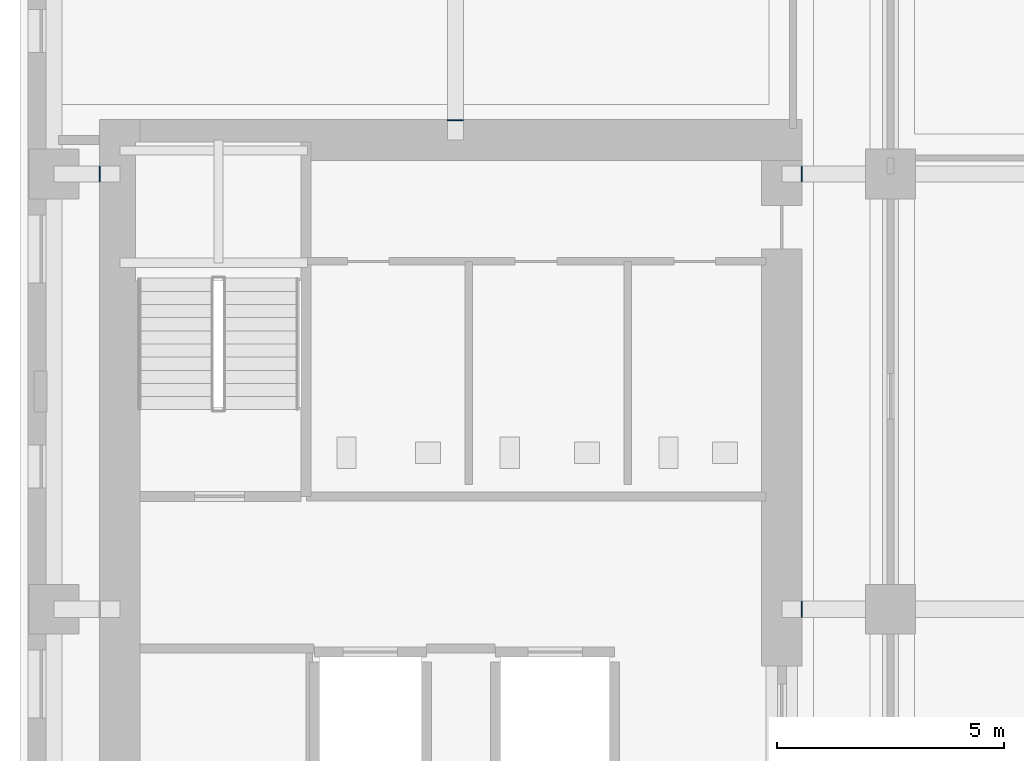
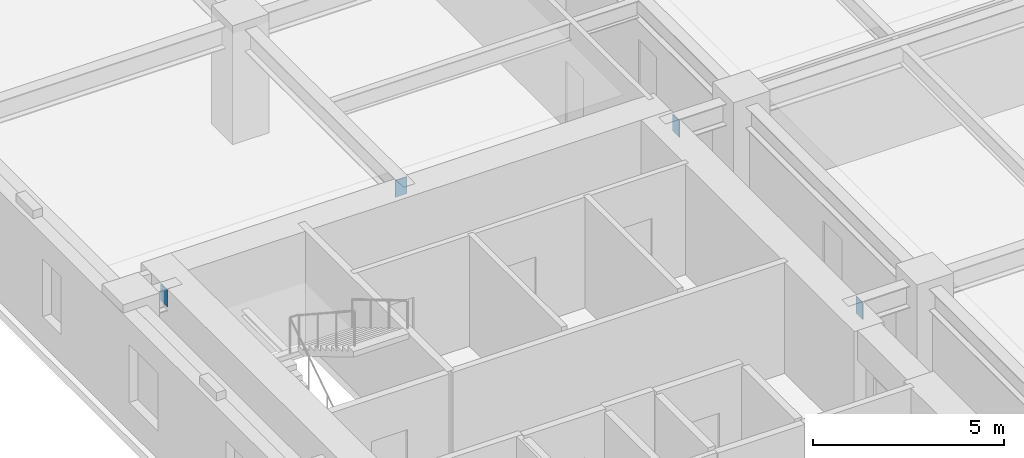
# One storey, part 10 of 16: 4 discrete accessories.
"""IFC4 building model written with IfcOpenShell, lengths in metres."""

from ifc_helpers import new_model, si_unit, direction, frame, origin, origin_2d, place, context, subcontext, project, spatial, rectangle, extrude, material, layer, layer_set, type_object, element, save


model = new_model("IFC4")

# Units and contexts
model_context = context("Model", 3, precision=1e-05, world=origin(), true_north=direction((0.0, 1.0)))
body_context = subcontext(model_context, "Body", "Model", "MODEL_VIEW")
ifc_project = project(units=[si_unit("LENGTHUNIT", "METRE"), si_unit("AREAUNIT", "SQUARE_METRE"), si_unit("VOLUMEUNIT", "CUBIC_METRE"), si_unit("PLANEANGLEUNIT", "RADIAN"), si_unit("MASSUNIT", "GRAM", prefix="KILO")], contexts=[model_context])

# Site, building, storey
site_placement = place(None, origin())
site = spatial("IfcSite", under=ifc_project, at=site_placement, CompositionType="ELEMENT")
building_placement = place(site_placement, origin())
building = spatial("IfcBuilding", under=site, at=building_placement, Name="Norrvale University Quadrangle", CompositionType="ELEMENT")
storey_placement = place(building_placement, frame((0.0, 0.0, 58.39990234375)))
storey = spatial("IfcBuildingStorey", under=building, at=storey_placement, Name="L14", CompositionType="ELEMENT", Elevation=58.39990234375)

# Discrete accessories
ifc_material = material(Name="Steel 350W", Category="steel")
ifc_layer = layer(ifc_material, 0.02490234375, Name="Steel 350W")
ifc_layer_set = layer_set([ifc_layer], Name="Steel 350W")
discrete_accessory_type = type_object("IfcDiscreteAccessoryType", Name="Accessory Cast In Embed Plate", PredefinedType="ANCHORPLATE", material=ifc_layer_set)
for number, where, z_axis, x_axis, name in (
    (1, (17.237548828125, 37.64990234375, 2.9599609375), (0.0, 0.0, 1.0), (1.0, 0.0, 0.0), "Core Wall Cast-in Embed Plate L14-GCE076"),
    (2, (1.762451171875, 47.25, 2.9599609375), (0.0, 0.0, 1.0), (1.0, 0.0, 0.0), "Core Wall Cast-in Embed Plate L14-GCW077"),
    (3, (17.237548828125, 47.25, 2.9599609375), (0.0, 0.0, 1.0), (1.0, 0.0, 0.0), "Core Wall Cast-in Embed Plate L14-GCE078"),
):
    element("IfcDiscreteAccessory", number, at=place(storey_placement, frame(where, z_axis=z_axis, x_axis=x_axis)), inside=storey, type_object=discrete_accessory_type, Name=name, PredefinedType="ANCHORPLATE", context=body_context, shape_type="SweptSolid", body=[
        extrude(rectangle(XDim=0.02490234375, YDim=0.35009765625, at=origin_2d()), origin(), (0.0, 0.0, 1.0), 0.5400390625),
    ])
discrete_accessory_placement = place(storey_placement, frame((9.60009765625, 48.4375, 2.9599609375), z_axis=(0.0, 0.0, 1.0), x_axis=(1.0, 0.0, 0.0)))
element("IfcDiscreteAccessory", 4, at=discrete_accessory_placement, inside=storey, type_object=discrete_accessory_type, Name="Core Wall Cast-in Embed Plate L14-GCN103", PredefinedType="ANCHORPLATE", context=body_context, shape_type="SweptSolid", body=[
    extrude(rectangle(XDim=0.35009765625, YDim=0.02490234375, at=origin_2d()), origin(), (0.0, 0.0, 1.0), 0.5400390625),
])

save(model, "model.ifc")
